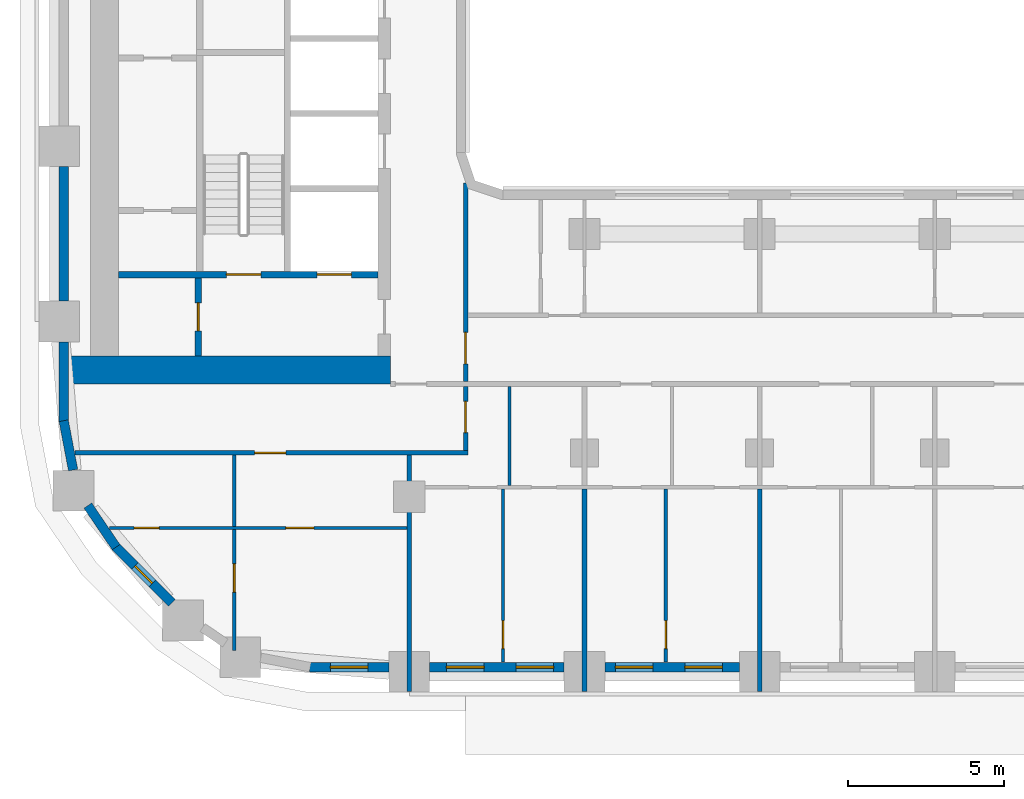
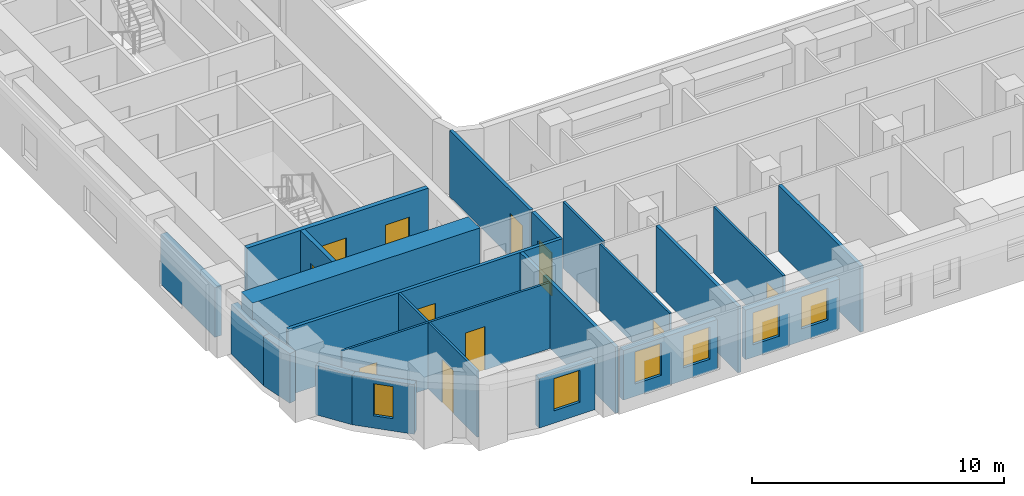
# One storey, part 2 of 23: 23 walls, 11 doors, 6 windows, 17 openings.
"""IFC4 building model written with IfcOpenShell, lengths in metres."""

import ifcopenshell
import ifcopenshell.guid

model = None  # the IFC model being written
_history = None  # IfcOwnerHistory: only IFC2X3 demands one
_inside = {}  # id of a spatial element -> (the spatial element, [elements in it])
_under = {}  # id of a project, library or spatial element -> (it, [spatial elements below it])
_declared = {}  # id of a project -> (the project, [libraries it declares])
_typed = {}  # id of a type object -> (the type object, [elements of that type])
_made_of = {}  # id of a material, layer set ... -> (it, [elements and type objects made of it])


def new_model(schema):
    """Start an empty IFC model of exactly this schema.

    Asked for "IFC4X3", IfcOpenShell would pick the latest addendum, in which some entities
    have other attributes; the version numbers below select the first issue.
    IFC2X3 requires an IfcOwnerHistory on every rooted entity: one is made here for all.
    """
    global model, _history
    if schema == "IFC4X3":
        model = ifcopenshell.file(schema_version=(4, 3, 0, 0))
    else:
        model = ifcopenshell.file(schema=schema)
    _inside.clear()
    _under.clear()
    _declared.clear()
    _typed.clear()
    _made_of.clear()
    _history = None
    if model.schema == "IFC2X3":
        org = make("IfcOrganization", Name="unknown")
        user = make(
            "IfcPersonAndOrganization",
            ThePerson=make("IfcPerson", FamilyName="unknown"),
            TheOrganization=org,
        )
        app = make(
            "IfcApplication",
            ApplicationDeveloper=org,
            Version="unknown",
            ApplicationFullName="unknown",
            ApplicationIdentifier="unknown",
        )
        _history = make(
            "IfcOwnerHistory",
            OwningUser=user,
            OwningApplication=app,
            ChangeAction="ADDED",
            CreationDate=0,
        )
    return model


def make(cls, **values):
    """One entity of the class cls with the attributes given. An attribute that is None is left unset."""
    return model.create_entity(
        cls, **{name: value for name, value in values.items() if value is not None}
    )


def rooted(cls, **values):
    """An entity with a GlobalId (a new one), such as an element, a storey or a relation."""
    return make(cls, GlobalId=ifcopenshell.guid.new(), OwnerHistory=_history, **values)


def si_unit(unit_type, name, prefix=None):
    """IfcSIUnit, for example si_unit("LENGTHUNIT", "METRE", prefix="MILLI")."""
    return make("IfcSIUnit", UnitType=unit_type, Prefix=prefix, Name=name)


def assignment(units):
    """IfcUnitAssignment: the units of a project."""
    return None if units is None else make("IfcUnitAssignment", Units=units)


def point(xyz):
    """IfcCartesianPoint."""
    return None if xyz is None else make("IfcCartesianPoint", Coordinates=xyz)


def direction(xyz):
    """IfcDirection."""
    return None if xyz is None else make("IfcDirection", DirectionRatios=xyz)


def frame(location, z_axis=None, x_axis=None):
    """IfcAxis2Placement3D, a coordinate frame: its origin and axes. An axis left out is left unset."""
    return make(
        "IfcAxis2Placement3D",
        Location=point(location),
        Axis=direction(z_axis),
        RefDirection=direction(x_axis),
    )


def frame_2d(location, x_axis=None):
    """IfcAxis2Placement2D, a coordinate frame in the plane: its origin and x axis."""
    return make(
        "IfcAxis2Placement2D", Location=point(location), RefDirection=direction(x_axis)
    )


def origin():
    """The frame at (0, 0, 0) with its axes left unset."""
    return frame((0.0, 0.0, 0.0))


def place(relative_to, where):
    """IfcLocalPlacement: puts the frame where relative to a parent placement (None: the world)."""
    return make(
        "IfcLocalPlacement", PlacementRelTo=relative_to, RelativePlacement=where
    )


def context(
    kind, dimensions, precision=None, world=None, true_north=None, identifier=None
):
    """IfcGeometricRepresentationContext, for example the 3D "Model" context."""
    return make(
        "IfcGeometricRepresentationContext",
        ContextIdentifier=identifier,
        ContextType=kind,
        CoordinateSpaceDimension=dimensions,
        Precision=precision,
        WorldCoordinateSystem=world,
        TrueNorth=true_north,
    )


def subcontext(parent, identifier, kind, view, scale=None):
    """IfcGeometricRepresentationSubContext, for example "Body" below "Model"."""
    return make(
        "IfcGeometricRepresentationSubContext",
        ContextIdentifier=identifier,
        ContextType=kind,
        ParentContext=parent,
        TargetScale=scale,
        TargetView=view,
    )


def project(units=None, contexts=None):
    """IfcProject with its units and contexts."""
    return rooted(
        "IfcProject",
        Name="project",
        RepresentationContexts=contexts,
        UnitsInContext=assignment(units),
    )


def spatial(cls, under=None, at=None, **own):
    """A site, building, storey or space (cls), placed at a placement, below another one or the project."""
    s = rooted(cls, ObjectPlacement=at, **own)
    if under is not None:
        _under.setdefault(under.id(), (under, []))[1].append(s)
    return s


def profile(cls, at=None, kind="AREA", **sizes):
    """A parametric profile (cls). Its sizes go by their IFC names, for example OverallWidth=200.0."""
    return make(cls, ProfileType=kind, Position=at, **sizes)


def rectangle(**sizes):
    """IfcRectangleProfileDef."""
    return profile("IfcRectangleProfileDef", **sizes)


def extrude(swept, where, along, depth):
    """IfcExtrudedAreaSolid: the profile swept, set in the frame where, extruded along a direction by depth."""
    return make(
        "IfcExtrudedAreaSolid",
        SweptArea=swept,
        Position=where,
        ExtrudedDirection=direction(along),
        Depth=depth,
    )


def shape(context_of_items, identifier, shape_type, items):
    """IfcShapeRepresentation: the items that make up one representation, for example the "Body"."""
    return make(
        "IfcShapeRepresentation",
        ContextOfItems=context_of_items,
        RepresentationIdentifier=identifier,
        RepresentationType=shape_type,
        Items=items,
    )


def material(Name=None, Category=None):
    """IfcMaterial."""
    return make("IfcMaterial", Name=Name, Category=Category)


def layer(
    of_material, thickness, ventilated=None, Name=None, Category=None, Priority=None
):
    """IfcMaterialLayer: one layer of a wall or slab, of a material (None: an air gap)."""
    return make(
        "IfcMaterialLayer",
        Material=of_material,
        LayerThickness=thickness,
        IsVentilated=ventilated,
        Name=Name,
        Category=Category,
        Priority=Priority,
    )


def layer_set(layers, Name=None):
    """IfcMaterialLayerSet."""
    return make("IfcMaterialLayerSet", MaterialLayers=layers, LayerSetName=Name)


def made_of(thing, what):
    """Note that an element or type object is made of a material, layer set ...; save() writes the relation."""
    if what is not None:
        _made_of.setdefault(what.id(), (what, []))[1].append(thing)
    return thing


def type_object(cls, material=None, **own):
    """A type object (cls), such as IfcWallType, which elements share."""
    return made_of(rooted(cls, **own), material)


def element(
    cls,
    number,
    at=None,
    inside=None,
    cuts=None,
    type_object=None,
    material=None,
    context=None,
    identifier="Body",
    shape_type=None,
    held_by="IfcProductDefinitionShape",
    body=None,
    shapes=None,
    **own,
):
    """One element of the class cls, such as IfcWall. Its Tag is "e" and its number.

    at: its placement. inside: the storey or other place that contains it. cuts: it is an
    opening in that element (IfcRelVoidsElement). A single representation is given by context,
    identifier, shape_type and body (its items); several are given by shapes. held_by: the class
    of the entity that holds the representations. save() writes the other relations.
    """
    e = rooted(cls, Tag="e%d" % number, ObjectPlacement=at, **own)
    if body is not None:
        shapes = [shape(context, identifier, shape_type, body)]
    if shapes is not None:
        e.Representation = make(held_by, Representations=shapes)
    if inside is not None:
        _inside.setdefault(inside.id(), (inside, []))[1].append(e)
    if cuts is not None:
        rooted(
            "IfcRelVoidsElement", RelatingBuildingElement=cuts, RelatedOpeningElement=e
        )
    if type_object is not None:
        _typed.setdefault(type_object.id(), (type_object, []))[1].append(e)
    return made_of(e, material)


def fill(opening, filler):
    """IfcRelFillsElement: the door or window that sits in an opening."""
    return rooted(
        "IfcRelFillsElement",
        RelatingOpeningElement=opening,
        RelatedBuildingElement=filler,
    )


def aggregate(whole, parts):
    """IfcRelAggregates: a whole, such as a stair, and the parts it consists of."""
    return rooted("IfcRelAggregates", RelatingObject=whole, RelatedObjects=parts)


def save(model, path):
    """Write the relations noted so far, then the file.

    IfcRelAggregates (storeys below a building ...), IfcRelContainedInSpatialStructure (elements
    in a storey), IfcRelDefinesByType, IfcRelAssociatesMaterial and IfcRelDeclares: one each for
    every whole, place, type object, material and project.
    """
    for whole, parts in _under.values():
        aggregate(whole, parts)
    for where, things in _inside.values():
        rooted(
            "IfcRelContainedInSpatialStructure",
            RelatedElements=things,
            RelatingStructure=where,
        )
    for kind, things in _typed.values():
        rooted("IfcRelDefinesByType", RelatedObjects=things, RelatingType=kind)
    for what, things in _made_of.values():
        rooted("IfcRelAssociatesMaterial", RelatedObjects=things, RelatingMaterial=what)
    for by, libraries in _declared.values():
        rooted("IfcRelDeclares", RelatingContext=by, RelatedDefinitions=libraries)
    model.write(path)


model = new_model("IFC4")

# Units and contexts
model_context = context("Model", 3, precision=1e-05, world=origin(), true_north=direction((0.0, 1.0)))
body_context = subcontext(model_context, "Body", "Model", "MODEL_VIEW")
ifc_project = project(units=[si_unit("LENGTHUNIT", "METRE"), si_unit("AREAUNIT", "SQUARE_METRE"), si_unit("VOLUMEUNIT", "CUBIC_METRE"), si_unit("PLANEANGLEUNIT", "RADIAN"), si_unit("MASSUNIT", "GRAM", prefix="KILO")], contexts=[model_context])

# Site, building, storey
site_placement = place(None, origin())
site = spatial("IfcSite", under=ifc_project, at=site_placement, CompositionType="ELEMENT")
building_placement = place(site_placement, origin())
building = spatial("IfcBuilding", under=site, at=building_placement, Name="Kiln Ring Residences", CompositionType="ELEMENT")
storey_placement = place(building_placement, frame((0.0, 0.0, 86.800048828125)))
storey = spatial("IfcBuildingStorey", under=building, at=storey_placement, Name="L21", CompositionType="ELEMENT", Elevation=86.800048828125)

# Wall, opening, door
ifc_material_1 = material(Name="Gypsum board on steel studs", Category="steel")
ifc_layer_1 = layer(ifc_material_1, 0.199951171875)
ifc_layer_set_1 = layer_set([ifc_layer_1], Name="CORE-PARTITION-200")
wall_type_1 = type_object("IfcWallType", Name="CORE-PARTITION-200", PredefinedType="PARTITIONING", material=ifc_layer_set_1)
wall_1_placement = place(storey_placement, frame((-23.550048828125, -12.300048828125, 0.0), z_axis=(0.0, 0.0, 1.0), x_axis=(0.0, 1.0, 0.0)))
wall_1 = element("IfcWall", 1, at=wall_1_placement, inside=storey, type_object=wall_type_1, Name="Core partition west L21 5", PredefinedType="PARTITIONING", context=body_context, shape_type="SweptSolid", body=[
    extrude(rectangle(XDim=2.5, YDim=0.199951171875, at=frame_2d((1.25, 0.0))), origin(), (0.0, 0.0, 1.0), 3.199951171875),
])
opening_1_placement = place(wall_1_placement, frame((0.800048828125, 0.0, 0.0)))
opening_1 = element("IfcOpeningElement", 2, at=opening_1_placement, cuts=wall_1, Name="Opening L21-CW11", PredefinedType="OPENING", context=body_context, shape_type="SweptSolid", body=[
    extrude(rectangle(XDim=0.89990234375, YDim=2.10009765625, at=frame_2d((0.449951171875, 1.050048828125))), frame((0.0, 0.10986328125, 0.0), z_axis=(0.0, -1.0, 0.0), x_axis=(1.0, 0.0, 0.0)), (0.0, 0.0, 1.0), 0.219970703125),
])
ifc_material_2 = material(Name="Steel door leaf", Category="steel")
door_type_1 = type_object("IfcDoorType", Name="CORE-DOOR-ROOM", OperationType="SINGLE_SWING_LEFT", PredefinedType="DOOR", material=ifc_material_2)
door_1_placement = place(opening_1_placement, origin())
door_1 = element("IfcDoor", 3, at=door_1_placement, inside=storey, type_object=door_type_1, Name="Store L21-CW11", OperationType="SINGLE_SWING_LEFT", OverallHeight=2.10009765625, OverallWidth=0.89990234375, PredefinedType="DOOR", context=body_context, shape_type="SweptSolid", body=[
    extrude(rectangle(XDim=0.89990234375, YDim=2.10009765625, at=frame_2d((0.449951171875, 1.050048828125))), frame((0.0, 0.02490234375, 0.0), z_axis=(0.0, -1.0, 0.0), x_axis=(1.0, 0.0, 0.0)), (0.0, 0.0, 1.0), 0.050048828125),
])
fill(opening_1, door_1)

# Wall, openings, doors
ifc_material_3 = material(Name="Concrete C40/50", Category="concrete")
ifc_layer_2 = layer(ifc_material_3, 0.199951171875)
ifc_layer_set_2 = layer_set([ifc_layer_2], Name="CORE-WALL-RC200")
wall_type_2 = type_object("IfcWallType", Name="CORE-WALL-RC200", PredefinedType="SHEAR", material=ifc_layer_set_2)
wall_2_placement = place(storey_placement, frame((-17.800048828125, -9.699951171875, 0.0), z_axis=(0.0, 0.0, 1.0), x_axis=(-1.0, 0.0, 0.0)))
wall_2 = element("IfcWall", 4, at=wall_2_placement, inside=storey, type_object=wall_type_2, Name="Core wall west L21 8", PredefinedType="SHEAR", context=body_context, shape_type="SweptSolid", body=[
    extrude(rectangle(XDim=8.300048828125, YDim=0.199951171875, at=frame_2d((4.14990234375, 0.0))), origin(), (0.0, 0.0, 1.0), 3.199951171875),
])
opening_2_placement = place(wall_2_placement, frame((0.85009765625, 0.0, 0.0)))
opening_2 = element("IfcOpeningElement", 5, at=opening_2_placement, cuts=wall_2, Name="Opening L21-CW01", PredefinedType="OPENING", context=body_context, shape_type="SweptSolid", body=[
    extrude(rectangle(XDim=1.10009765625, YDim=2.10009765625, at=frame_2d((0.550048828125, 1.050048828125))), frame((0.0, 0.10986328125, 0.0), z_axis=(0.0, -1.0, 0.0), x_axis=(1.0, 0.0, 0.0)), (0.0, 0.0, 1.0), 0.219970703125),
])
opening_3_placement = place(wall_2_placement, frame((3.75, 0.0, 0.0)))
opening_3 = element("IfcOpeningElement", 6, at=opening_3_placement, cuts=wall_2, Name="Opening L21-CW13", PredefinedType="OPENING", context=body_context, shape_type="SweptSolid", body=[
    extrude(rectangle(XDim=1.10009765625, YDim=2.10009765625, at=frame_2d((0.550048828125, 1.050048828125))), frame((0.0, 0.10986328125, 0.0), z_axis=(0.0, -1.0, 0.0), x_axis=(1.0, 0.0, 0.0)), (0.0, 0.0, 1.0), 0.219970703125),
])
ifc_material_4 = material(Name="Steel door leaf", Category="steel")
door_type_2 = type_object("IfcDoorType", Name="CORE-DOOR-LD", OperationType="DOUBLE_DOOR_SLIDING", PredefinedType="DOOR", material=ifc_material_4)
door_2_placement = place(opening_2_placement, origin())
door_2 = element("IfcDoor", 7, at=door_2_placement, inside=storey, type_object=door_type_2, Name="LD W-SV L21-CW01", OperationType="DOUBLE_DOOR_SLIDING", OverallHeight=2.10009765625, OverallWidth=1.10009765625, PredefinedType="DOOR", context=body_context, shape_type="SweptSolid", body=[
    extrude(rectangle(XDim=1.10009765625, YDim=2.10009765625, at=frame_2d((0.550048828125, 1.050048828125))), frame((0.0, 0.02490234375, 0.0), z_axis=(0.0, -1.0, 0.0), x_axis=(1.0, 0.0, 0.0)), (0.0, 0.0, 1.0), 0.050048828125),
])
fill(opening_2, door_2)
ifc_material_5 = material(Name="Steel door leaf", Category="steel")
door_type_3 = type_object("IfcDoorType", Name="CORE-DOOR-STAIR", OperationType="SINGLE_SWING_LEFT", PredefinedType="DOOR", material=ifc_material_5)
door_3_placement = place(opening_3_placement, origin())
door_3 = element("IfcDoor", 8, at=door_3_placement, inside=storey, type_object=door_type_3, Name="Stair W-STS L21-CW13", OperationType="SINGLE_SWING_RIGHT", OverallHeight=2.10009765625, OverallWidth=1.10009765625, PredefinedType="DOOR", context=body_context, shape_type="SweptSolid", body=[
    extrude(rectangle(XDim=1.10009765625, YDim=2.10009765625, at=frame_2d((0.550048828125, 1.050048828125))), frame((0.0, 0.02490234375, 0.0), z_axis=(0.0, -1.0, 0.0), x_axis=(1.0, 0.0, 0.0)), (0.0, 0.0, 1.0), 0.050048828125),
])
fill(opening_3, door_3)

# Wall
ifc_material_6 = material(Name="Concrete C60/75", Category="concrete")
ifc_layer_3 = layer(ifc_material_6, 0.89990234375)
ifc_layer_set_3 = layer_set([ifc_layer_3], Name="CORE-WALL-RC900")
wall_type_3 = type_object("IfcWallType", Name="CORE-WALL-RC900", PredefinedType="SHEAR", material=ifc_layer_set_3)
wall_3_placement = place(storey_placement, frame((-17.39990234375, -12.75, 0.0), z_axis=(0.0, 0.0, 1.0), x_axis=(-1.0, 0.0, 0.0)))
element("IfcWall", 9, at=wall_3_placement, inside=storey, type_object=wall_type_3, Name="Core wall west L21 5", PredefinedType="SHEAR", context=body_context, shape_type="SweptSolid", body=[
    extrude(rectangle(XDim=10.400146484375, YDim=0.89990234375, at=frame_2d((5.2001953125, 0.0))), origin(), (0.0, 0.0, 1.0), 3.199951171875),
])

# Wall, opening, window
ifc_material_7 = material(Name="Brick masonry, dark clay brick", Category="masonry")
ifc_layer_4 = layer(ifc_material_7, 0.300048828125)
ifc_layer_set_4 = layer_set([ifc_layer_4], Name="EW-300 BRICK WALL")
wall_type_4 = type_object("IfcWallType", Name="EW-300 BRICK WALL", PredefinedType="SOLIDWALL", material=ifc_layer_set_4)
wall_4_placement = place(storey_placement, frame((-26.19677734375, -18.390869140625, 0.0), z_axis=(0.0, 0.0, 1.0), x_axis=(0.707058908279, -0.707154650853, 0.0)))
wall_4 = element("IfcWall", 10, at=wall_4_placement, inside=storey, type_object=wall_type_4, Name="Facade wall L21 1", PredefinedType="SOLIDWALL", context=body_context, shape_type="SweptSolid", body=[
    extrude(rectangle(XDim=2.550048828125, YDim=0.300048828125, at=frame_2d((1.27490234375, 0.0))), origin(), (0.0, 0.0, 1.0), 2.39990234375),
])
opening_4_placement = place(wall_4_placement, frame((0.875, 0.0, 0.60009765625)))
opening_4 = element("IfcOpeningElement", 11, at=opening_4_placement, cuts=wall_4, Name="Opening W5", PredefinedType="OPENING", context=body_context, shape_type="SweptSolid", body=[
    extrude(rectangle(XDim=0.800048828125, YDim=1.550048828125, at=frame_2d((0.39990234375, 0.77490234375))), frame((0.0, 0.159912109375, 0.0), z_axis=(0.0, -1.0, 0.0), x_axis=(1.0, 0.0, 0.0)), (0.0, 0.0, 1.0), 0.320068359375),
])
ifc_material_8 = material(Name="Aluminium frame with double glazing", Category="aluminium")
window_type_1 = type_object("IfcWindowType", Name="WINDOW 800 x 1550", PartitioningType="SINGLE_PANEL", PredefinedType="WINDOW", material=ifc_material_8)
window_1_placement = place(opening_4_placement, origin())
window_1 = element("IfcWindow", 12, at=window_1_placement, inside=storey, type_object=window_type_1, Name="Window L21 1", OverallHeight=1.550048828125, OverallWidth=0.800048828125, PartitioningType="SINGLE_PANEL", PredefinedType="WINDOW", context=body_context, shape_type="SweptSolid", body=[
    extrude(rectangle(XDim=0.800048828125, YDim=1.550048828125, at=frame_2d((0.39990234375, 0.77490234375))), frame((0.0, 0.030029296875, 0.0), z_axis=(0.0, -1.0, 0.0), x_axis=(1.0, 0.0, 0.0)), (0.0, 0.0, 1.0), 0.06005859375),
])
fill(opening_4, window_1)

wall_5_placement = place(storey_placement, frame((-20.0, -22.25, 0.0), z_axis=(0.0, 0.0, 1.0), x_axis=(1.0, 0.0, 0.0)))
wall_5 = element("IfcWall", 13, at=wall_5_placement, inside=storey, type_object=wall_type_4, Name="Facade wall L21 4", PredefinedType="SOLIDWALL", context=body_context, shape_type="SweptSolid", body=[
    extrude(rectangle(XDim=2.550048828125, YDim=0.300048828125, at=frame_2d((1.27490234375, 0.0))), origin(), (0.0, 0.0, 1.0), 2.39990234375),
])
opening_5_placement = place(wall_5_placement, frame((0.675048828125, 0.0, 0.60009765625)))
opening_5 = element("IfcOpeningElement", 14, at=opening_5_placement, cuts=wall_5, Name="Opening W1", PredefinedType="OPENING", context=body_context, shape_type="SweptSolid", body=[
    extrude(rectangle(XDim=1.199951171875, YDim=1.550048828125, at=frame_2d((0.60009765625, 0.77490234375))), frame((0.0, 0.159912109375, 0.0), z_axis=(0.0, -1.0, 0.0), x_axis=(1.0, 0.0, 0.0)), (0.0, 0.0, 1.0), 0.320068359375),
])
ifc_material_9 = material(Name="Aluminium frame with double glazing", Category="aluminium")
window_type_2 = type_object("IfcWindowType", Name="WINDOW 1200 x 1550", PartitioningType="SINGLE_PANEL", PredefinedType="WINDOW", material=ifc_material_9)
window_2_placement = place(opening_5_placement, origin())
window_2 = element("IfcWindow", 15, at=window_2_placement, inside=storey, type_object=window_type_2, Name="Window L21 2", OverallHeight=1.550048828125, OverallWidth=1.199951171875, PartitioningType="SINGLE_PANEL", PredefinedType="WINDOW", context=body_context, shape_type="SweptSolid", body=[
    extrude(rectangle(XDim=1.199951171875, YDim=1.550048828125, at=frame_2d((0.60009765625, 0.77490234375))), frame((0.0, 0.030029296875, 0.0), z_axis=(0.0, -1.0, 0.0), x_axis=(1.0, 0.0, 0.0)), (0.0, 0.0, 1.0), 0.06005859375),
])
fill(opening_5, window_2)

# Wall, openings, windows
wall_6_placement = place(storey_placement, frame((-16.14990234375, -22.25, 0.0), z_axis=(0.0, 0.0, 1.0), x_axis=(1.0, 0.0, 0.0)))
wall_6 = element("IfcWall", 16, at=wall_6_placement, inside=storey, type_object=wall_type_4, Name="Facade wall L21 5", PredefinedType="SOLIDWALL", context=body_context, shape_type="SweptSolid", body=[
    extrude(rectangle(XDim=4.2998046875, YDim=0.300048828125, at=frame_2d((2.14990234375, 0.0))), origin(), (0.0, 0.0, 1.0), 2.39990234375),
])
opening_6_placement = place(wall_6_placement, frame((0.53759765625, 0.0, 0.60009765625)))
opening_6 = element("IfcOpeningElement", 17, at=opening_6_placement, cuts=wall_6, Name="Opening W1", PredefinedType="OPENING", context=body_context, shape_type="SweptSolid", body=[
    extrude(rectangle(XDim=1.199951171875, YDim=1.550048828125, at=frame_2d((0.60009765625, 0.77490234375))), frame((0.0, 0.159912109375, 0.0), z_axis=(0.0, -1.0, 0.0), x_axis=(1.0, 0.0, 0.0)), (0.0, 0.0, 1.0), 0.320068359375),
])
opening_7_placement = place(wall_6_placement, frame((2.762451171875, 0.0, 0.60009765625)))
opening_7 = element("IfcOpeningElement", 18, at=opening_7_placement, cuts=wall_6, Name="Opening W1", PredefinedType="OPENING", context=body_context, shape_type="SweptSolid", body=[
    extrude(rectangle(XDim=1.199951171875, YDim=1.550048828125, at=frame_2d((0.60009765625, 0.77490234375))), frame((0.0, 0.159912109375, 0.0), z_axis=(0.0, -1.0, 0.0), x_axis=(1.0, 0.0, 0.0)), (0.0, 0.0, 1.0), 0.320068359375),
])
window_3_placement = place(opening_6_placement, origin())
window_3 = element("IfcWindow", 19, at=window_3_placement, inside=storey, type_object=window_type_2, Name="Window L21 3", OverallHeight=1.550048828125, OverallWidth=1.199951171875, PartitioningType="SINGLE_PANEL", PredefinedType="WINDOW", context=body_context, shape_type="SweptSolid", body=[
    extrude(rectangle(XDim=1.199951171875, YDim=1.550048828125, at=frame_2d((0.60009765625, 0.77490234375))), frame((0.0, 0.030029296875, 0.0), z_axis=(0.0, -1.0, 0.0), x_axis=(1.0, 0.0, 0.0)), (0.0, 0.0, 1.0), 0.06005859375),
])
fill(opening_6, window_3)
window_4_placement = place(opening_7_placement, origin())
window_4 = element("IfcWindow", 20, at=window_4_placement, inside=storey, type_object=window_type_2, Name="Window L21 4", OverallHeight=1.550048828125, OverallWidth=1.199951171875, PartitioningType="SINGLE_PANEL", PredefinedType="WINDOW", context=body_context, shape_type="SweptSolid", body=[
    extrude(rectangle(XDim=1.199951171875, YDim=1.550048828125, at=frame_2d((0.60009765625, 0.77490234375))), frame((0.0, 0.030029296875, 0.0), z_axis=(0.0, -1.0, 0.0), x_axis=(1.0, 0.0, 0.0)), (0.0, 0.0, 1.0), 0.06005859375),
])
fill(opening_7, window_4)

wall_7_placement = place(storey_placement, frame((-10.550048828125, -22.25, 0.0), z_axis=(0.0, 0.0, 1.0), x_axis=(1.0, 0.0, 0.0)))
wall_7 = element("IfcWall", 21, at=wall_7_placement, inside=storey, type_object=wall_type_4, Name="Facade wall L21 6", PredefinedType="SOLIDWALL", context=body_context, shape_type="SweptSolid", body=[
    extrude(rectangle(XDim=4.300048828125, YDim=0.300048828125, at=frame_2d((2.14990234375, 0.0))), origin(), (0.0, 0.0, 1.0), 2.39990234375),
])
opening_8_placement = place(wall_7_placement, frame((0.33740234375, 0.0, 0.60009765625)))
opening_8 = element("IfcOpeningElement", 22, at=opening_8_placement, cuts=wall_7, Name="Opening W1", PredefinedType="OPENING", context=body_context, shape_type="SweptSolid", body=[
    extrude(rectangle(XDim=1.199951171875, YDim=1.550048828125, at=frame_2d((0.60009765625, 0.77490234375))), frame((0.0, 0.159912109375, 0.0), z_axis=(0.0, -1.0, 0.0), x_axis=(1.0, 0.0, 0.0)), (0.0, 0.0, 1.0), 0.320068359375),
])
opening_9_placement = place(wall_7_placement, frame((2.5625, 0.0, 0.60009765625)))
opening_9 = element("IfcOpeningElement", 23, at=opening_9_placement, cuts=wall_7, Name="Opening W1", PredefinedType="OPENING", context=body_context, shape_type="SweptSolid", body=[
    extrude(rectangle(XDim=1.199951171875, YDim=1.550048828125, at=frame_2d((0.60009765625, 0.77490234375))), frame((0.0, 0.159912109375, 0.0), z_axis=(0.0, -1.0, 0.0), x_axis=(1.0, 0.0, 0.0)), (0.0, 0.0, 1.0), 0.320068359375),
])
window_5_placement = place(opening_8_placement, origin())
window_5 = element("IfcWindow", 24, at=window_5_placement, inside=storey, type_object=window_type_2, Name="Window L21 5", OverallHeight=1.550048828125, OverallWidth=1.199951171875, PartitioningType="SINGLE_PANEL", PredefinedType="WINDOW", context=body_context, shape_type="SweptSolid", body=[
    extrude(rectangle(XDim=1.199951171875, YDim=1.550048828125, at=frame_2d((0.60009765625, 0.77490234375))), frame((0.0, 0.030029296875, 0.0), z_axis=(0.0, -1.0, 0.0), x_axis=(1.0, 0.0, 0.0)), (0.0, 0.0, 1.0), 0.06005859375),
])
fill(opening_8, window_5)
window_6_placement = place(opening_9_placement, origin())
window_6 = element("IfcWindow", 25, at=window_6_placement, inside=storey, type_object=window_type_2, Name="Window L21 6", OverallHeight=1.550048828125, OverallWidth=1.199951171875, PartitioningType="SINGLE_PANEL", PredefinedType="WINDOW", context=body_context, shape_type="SweptSolid", body=[
    extrude(rectangle(XDim=1.199951171875, YDim=1.550048828125, at=frame_2d((0.60009765625, 0.77490234375))), frame((0.0, 0.030029296875, 0.0), z_axis=(0.0, -1.0, 0.0), x_axis=(1.0, 0.0, 0.0)), (0.0, 0.0, 1.0), 0.06005859375),
])
fill(opening_9, window_6)

# Walls
wall_8_placement = place(storey_placement, frame((-27.85009765625, -6.25, 0.0), z_axis=(0.0, 0.0, 1.0), x_axis=(0.0, -1.0, 0.0)))
element("IfcWall", 26, at=wall_8_placement, inside=storey, type_object=wall_type_4, Name="Facade wall L21 45", PredefinedType="SOLIDWALL", context=body_context, shape_type="SweptSolid", body=[
    extrude(rectangle(XDim=4.300048828125, YDim=0.300048828125, at=frame_2d((2.14990234375, 0.0))), origin(), (0.0, 0.0, 1.0), 2.39990234375),
])
wall_9_placement = place(storey_placement, frame((-27.85009765625, -11.85009765625, 0.0), z_axis=(0.0, 0.0, 1.0), x_axis=(0.0, -1.0, 0.0)))
element("IfcWall", 27, at=wall_9_placement, inside=storey, type_object=wall_type_4, Name="Facade wall L21 46", PredefinedType="SOLIDWALL", context=body_context, shape_type="SweptSolid", body=[
    extrude(rectangle(XDim=2.5498046875, YDim=0.300048828125, at=frame_2d((1.27490234375, 0.0))), origin(), (0.0, 0.0, 1.0), 2.39990234375),
])
for number, where, z_axis, x_axis, name in (
    (28, (-27.8525390625, -14.371826171875, 0.0), (0.0, 0.0, 1.0), (0.187279751651, -0.982306619453, 0.0), "Facade wall L21 47"),
    (29, (-27.08154296875, -17.08447265625, 0.0), (0.0, 0.0, 1.0), (0.562010605531, -0.827130025613, 0.0), "Facade wall L21 48"),
):
    element("IfcWall", number, at=place(storey_placement, frame(where, z_axis=z_axis, x_axis=x_axis)), inside=storey, type_object=wall_type_4, Name=name, PredefinedType="SOLIDWALL", context=body_context, shape_type="SweptSolid", body=[
        extrude(rectangle(XDim=1.60595703125, YDim=0.300048828125, at=frame_2d((0.802978515625, 0.0))), origin(), (0.0, 0.0, 1.0), 2.39990234375),
    ])

# Wall, openings, doors
ifc_material_10 = material(Name="Gypsum board on steel studs", Category="steel")
ifc_layer_5 = layer(ifc_material_10, 0.10009765625)
ifc_layer_set_5 = layer_set([ifc_layer_5], Name="PARTITION-100")
wall_type_5 = type_object("IfcWallType", Name="PARTITION-100", PredefinedType="PARTITIONING", material=ifc_layer_set_5)
wall_10_placement = place(storey_placement, frame((-26.39404296875, -17.800048828125, 0.0), z_axis=(0.0, 0.0, 1.0), x_axis=(1.0, 0.0, 0.0)))
wall_10 = element("IfcWall", 30, at=wall_10_placement, inside=storey, type_object=wall_type_5, Name="Partition 001", PredefinedType="PARTITIONING", context=body_context, shape_type="SweptSolid", body=[
    extrude(rectangle(XDim=9.51904296875, YDim=0.10009765625, at=frame_2d((4.759521484375, 0.0))), origin(), (0.0, 0.0, 1.0), 3.199951171875),
])
opening_10_placement = place(wall_10_placement, frame((0.7939453125, 0.0, 0.0)))
opening_10 = element("IfcOpeningElement", 31, at=opening_10_placement, cuts=wall_10, Name="Opening L21-D078", PredefinedType="OPENING", context=body_context, shape_type="SweptSolid", body=[
    extrude(rectangle(XDim=0.800048828125, YDim=2.10009765625, at=frame_2d((0.39990234375, 1.050048828125))), frame((0.0, 0.06005859375, 0.0), z_axis=(0.0, -1.0, 0.0), x_axis=(1.0, 0.0, 0.0)), (0.0, 0.0, 1.0), 0.1201171875),
])
opening_11_placement = place(wall_10_placement, frame((5.64404296875, 0.0, 0.0)))
opening_11 = element("IfcOpeningElement", 32, at=opening_11_placement, cuts=wall_10, Name="Opening L21-D079", PredefinedType="OPENING", context=body_context, shape_type="SweptSolid", body=[
    extrude(rectangle(XDim=0.89990234375, YDim=2.10009765625, at=frame_2d((0.449951171875, 1.050048828125))), frame((0.0, 0.06005859375, 0.0), z_axis=(0.0, -1.0, 0.0), x_axis=(1.0, 0.0, 0.0)), (0.0, 0.0, 1.0), 0.1201171875),
])
ifc_material_11 = material(Name="Timber door leaf", Category="wood")
door_type_4 = type_object("IfcDoorType", Name="FLAT-DOOR-800-PL", OperationType="SINGLE_SWING_LEFT", PredefinedType="DOOR", material=ifc_material_11)
door_4_placement = place(opening_10_placement, origin())
door_4 = element("IfcDoor", 33, at=door_4_placement, inside=storey, type_object=door_type_4, Name="Door L21-D078", OperationType="SINGLE_SWING_RIGHT", OverallHeight=2.10009765625, OverallWidth=0.800048828125, PredefinedType="DOOR", context=body_context, shape_type="SweptSolid", body=[
    extrude(rectangle(XDim=0.800048828125, YDim=2.10009765625, at=frame_2d((0.39990234375, 1.050048828125))), frame((0.0, 0.02490234375, 0.0), z_axis=(0.0, -1.0, 0.0), x_axis=(1.0, 0.0, 0.0)), (0.0, 0.0, 1.0), 0.050048828125),
])
fill(opening_10, door_4)
ifc_material_12 = material(Name="Timber door leaf", Category="wood")
door_type_5 = type_object("IfcDoorType", Name="FLAT-DOOR-900-PL", OperationType="SINGLE_SWING_LEFT", PredefinedType="DOOR", material=ifc_material_12)
door_5_placement = place(opening_11_placement, origin())
door_5 = element("IfcDoor", 34, at=door_5_placement, inside=storey, type_object=door_type_5, Name="Door L21-D079", OperationType="SINGLE_SWING_LEFT", OverallHeight=2.10009765625, OverallWidth=0.89990234375, PredefinedType="DOOR", context=body_context, shape_type="SweptSolid", body=[
    extrude(rectangle(XDim=0.89990234375, YDim=2.10009765625, at=frame_2d((0.449951171875, 1.050048828125))), frame((0.0, 0.02490234375, 0.0), z_axis=(0.0, -1.0, 0.0), x_axis=(1.0, 0.0, 0.0)), (0.0, 0.0, 1.0), 0.050048828125),
])
fill(opening_11, door_5)

# Wall, opening, door
wall_11_placement = place(storey_placement, frame((-22.39990234375, -21.719970703125, 0.0), z_axis=(0.0, 0.0, 1.0), x_axis=(0.0, 1.0, 0.0)))
wall_11 = element("IfcWall", 35, at=wall_11_placement, inside=storey, type_object=wall_type_5, Name="Partition 014", PredefinedType="PARTITIONING", context=body_context, shape_type="SweptSolid", body=[
    extrude(rectangle(XDim=3.869873046875, YDim=0.10009765625, at=frame_2d((1.93505859375, 0.0))), origin(), (0.0, 0.0, 1.0), 3.199951171875),
])
opening_12_placement = place(wall_11_placement, frame((1.8701171875, 0.0, 0.0)))
opening_12 = element("IfcOpeningElement", 36, at=opening_12_placement, cuts=wall_11, Name="Opening L21-D080", PredefinedType="OPENING", context=body_context, shape_type="SweptSolid", body=[
    extrude(rectangle(XDim=0.89990234375, YDim=2.10009765625, at=frame_2d((0.449951171875, 1.050048828125))), frame((0.0, 0.06005859375, 0.0), z_axis=(0.0, -1.0, 0.0), x_axis=(1.0, 0.0, 0.0)), (0.0, 0.0, 1.0), 0.1201171875),
])
door_6_placement = place(opening_12_placement, origin())
door_6 = element("IfcDoor", 37, at=door_6_placement, inside=storey, type_object=door_type_5, Name="Door L21-D080", OperationType="SINGLE_SWING_LEFT", OverallHeight=2.10009765625, OverallWidth=0.89990234375, PredefinedType="DOOR", context=body_context, shape_type="SweptSolid", body=[
    extrude(rectangle(XDim=0.89990234375, YDim=2.10009765625, at=frame_2d((0.449951171875, 1.050048828125))), frame((0.0, 0.02490234375, 0.0), z_axis=(0.0, -1.0, 0.0), x_axis=(1.0, 0.0, 0.0)), (0.0, 0.0, 1.0), 0.050048828125),
])
fill(opening_12, door_6)

# Wall
wall_12_placement = place(storey_placement, frame((-22.39990234375, -17.75, 0.0), z_axis=(0.0, 0.0, 1.0), x_axis=(0.0, 1.0, 0.0)))
element("IfcWall", 38, at=wall_12_placement, inside=storey, type_object=wall_type_5, Name="Partition 015", PredefinedType="PARTITIONING", context=body_context, shape_type="SweptSolid", body=[
    extrude(rectangle(XDim=2.27490234375, YDim=0.10009765625, at=frame_2d((1.137451171875, 0.0))), origin(), (0.0, 0.0, 1.0), 3.199951171875),
])

# Wall, opening, door
wall_13_placement = place(storey_placement, frame((-13.800048828125, -22.080078125, 0.0), z_axis=(0.0, 0.0, 1.0), x_axis=(0.0, 1.0, 0.0)))
wall_13 = element("IfcWall", 39, at=wall_13_placement, inside=storey, type_object=wall_type_5, Name="Partition 025", PredefinedType="PARTITIONING", context=body_context, shape_type="SweptSolid", body=[
    extrude(rectangle(XDim=5.530029296875, YDim=0.10009765625, at=frame_2d((2.76513671875, 0.0))), origin(), (0.0, 0.0, 1.0), 3.199951171875),
])
opening_13_placement = place(wall_13_placement, frame((0.419921875, 0.0, 0.0)))
opening_13 = element("IfcOpeningElement", 40, at=opening_13_placement, cuts=wall_13, Name="Opening L21-D055", PredefinedType="OPENING", context=body_context, shape_type="SweptSolid", body=[
    extrude(rectangle(XDim=0.89990234375, YDim=2.10009765625, at=frame_2d((0.449951171875, 1.050048828125))), frame((0.0, 0.06005859375, 0.0), z_axis=(0.0, -1.0, 0.0), x_axis=(1.0, 0.0, 0.0)), (0.0, 0.0, 1.0), 0.1201171875),
])
door_7_placement = place(opening_13_placement, origin())
door_7 = element("IfcDoor", 41, at=door_7_placement, inside=storey, type_object=door_type_5, Name="Door L21-D055", OperationType="SINGLE_SWING_LEFT", OverallHeight=2.10009765625, OverallWidth=0.89990234375, PredefinedType="DOOR", context=body_context, shape_type="SweptSolid", body=[
    extrude(rectangle(XDim=0.89990234375, YDim=2.10009765625, at=frame_2d((0.449951171875, 1.050048828125))), frame((0.0, 0.02490234375, 0.0), z_axis=(0.0, -1.0, 0.0), x_axis=(1.0, 0.0, 0.0)), (0.0, 0.0, 1.0), 0.050048828125),
])
fill(opening_13, door_7)

# Wall
wall_14_placement = place(storey_placement, frame((-13.60009765625, -16.449951171875, 0.0), z_axis=(0.0, 0.0, 1.0), x_axis=(0.0, 1.0, 0.0)))
element("IfcWall", 42, at=wall_14_placement, inside=storey, type_object=wall_type_5, Name="Partition 026", PredefinedType="PARTITIONING", context=body_context, shape_type="SweptSolid", body=[
    extrude(rectangle(XDim=3.175048828125, YDim=0.10009765625, at=frame_2d((1.58740234375, 0.0))), origin(), (0.0, 0.0, 1.0), 3.199951171875),
])

# Wall, opening, door
wall_15_placement = place(storey_placement, frame((-8.60009765625, -22.080078125, 0.0), z_axis=(0.0, 0.0, 1.0), x_axis=(0.0, 1.0, 0.0)))
wall_15 = element("IfcWall", 43, at=wall_15_placement, inside=storey, type_object=wall_type_5, Name="Partition 035", PredefinedType="PARTITIONING", context=body_context, shape_type="SweptSolid", body=[
    extrude(rectangle(XDim=5.530029296875, YDim=0.10009765625, at=frame_2d((2.76513671875, 0.0))), origin(), (0.0, 0.0, 1.0), 3.199951171875),
])
opening_14_placement = place(wall_15_placement, frame((0.419921875, 0.0, 0.0)))
opening_14 = element("IfcOpeningElement", 44, at=opening_14_placement, cuts=wall_15, Name="Opening L21-D059", PredefinedType="OPENING", context=body_context, shape_type="SweptSolid", body=[
    extrude(rectangle(XDim=0.89990234375, YDim=2.10009765625, at=frame_2d((0.449951171875, 1.050048828125))), frame((0.0, 0.06005859375, 0.0), z_axis=(0.0, -1.0, 0.0), x_axis=(1.0, 0.0, 0.0)), (0.0, 0.0, 1.0), 0.1201171875),
])
door_8_placement = place(opening_14_placement, origin())
door_8 = element("IfcDoor", 45, at=door_8_placement, inside=storey, type_object=door_type_5, Name="Door L21-D059", OperationType="SINGLE_SWING_LEFT", OverallHeight=2.10009765625, OverallWidth=0.89990234375, PredefinedType="DOOR", context=body_context, shape_type="SweptSolid", body=[
    extrude(rectangle(XDim=0.89990234375, YDim=2.10009765625, at=frame_2d((0.449951171875, 1.050048828125))), frame((0.0, 0.02490234375, 0.0), z_axis=(0.0, -1.0, 0.0), x_axis=(1.0, 0.0, 0.0)), (0.0, 0.0, 1.0), 0.050048828125),
])
fill(opening_14, door_8)

ifc_material_13 = material(Name="Brick masonry partition", Category="masonry")
ifc_layer_6 = layer(ifc_material_13, 0.14990234375)
ifc_layer_set_6 = layer_set([ifc_layer_6], Name="PARTITION-150-ei60")
wall_type_6 = type_object("IfcWallType", Name="PARTITION-150-ei60", PredefinedType="PARTITIONING", material=ifc_layer_set_6)
wall_16_placement = place(storey_placement, frame((-27.48388671875, -15.39990234375, 0.0), z_axis=(0.0, 0.0, 1.0), x_axis=(1.0, 0.0, 0.0)))
wall_16 = element("IfcWall", 46, at=wall_16_placement, inside=storey, type_object=wall_type_6, Name="Partition 003", PredefinedType="PARTITIONING", context=body_context, shape_type="SweptSolid", body=[
    extrude(rectangle(XDim=12.558837890625, YDim=0.14990234375, at=frame_2d((6.279296875, 0.0))), origin(), (0.0, 0.0, 1.0), 3.199951171875),
])
opening_15_placement = place(wall_16_placement, frame((5.73388671875, 0.0, 0.0)))
opening_15 = element("IfcOpeningElement", 47, at=opening_15_placement, cuts=wall_16, Name="Opening L21-D077", PredefinedType="OPENING", context=body_context, shape_type="SweptSolid", body=[
    extrude(rectangle(XDim=1.0, YDim=2.10009765625, at=frame_2d((0.5, 1.050048828125))), frame((0.0, 0.0849609375, 0.0), z_axis=(0.0, -1.0, 0.0), x_axis=(1.0, 0.0, 0.0)), (0.0, 0.0, 1.0), 0.169921875),
])
ifc_material_14 = material(Name="Steel faced fire door leaf", Category="steel")
door_type_6 = type_object("IfcDoorType", Name="FLAT-DOOR-1000-FR", OperationType="SINGLE_SWING_LEFT", PredefinedType="DOOR", material=ifc_material_14)
door_9_placement = place(opening_15_placement, origin())
door_9 = element("IfcDoor", 48, at=door_9_placement, inside=storey, type_object=door_type_6, Name="Door L21-D077", OperationType="SINGLE_SWING_LEFT", OverallHeight=2.10009765625, OverallWidth=1.0, PredefinedType="DOOR", context=body_context, shape_type="SweptSolid", body=[
    extrude(rectangle(XDim=1.0, YDim=2.10009765625, at=frame_2d((0.5, 1.050048828125))), frame((0.0, 0.02490234375, 0.0), z_axis=(0.0, -1.0, 0.0), x_axis=(1.0, 0.0, 0.0)), (0.0, 0.0, 1.0), 0.050048828125),
])
fill(opening_15, door_9)

# Wall
wall_17_placement = place(storey_placement, frame((-16.800048828125, -23.030029296875, 0.0), z_axis=(0.0, 0.0, 1.0), x_axis=(0.0, 1.0, 0.0)))
element("IfcWall", 49, at=wall_17_placement, inside=storey, type_object=wall_type_6, Name="Partition 018", PredefinedType="PARTITIONING", context=body_context, shape_type="SweptSolid", body=[
    extrude(rectangle(XDim=7.554931640625, YDim=0.14990234375, at=frame_2d((3.77734375, 0.0))), origin(), (0.0, 0.0, 1.0), 3.199951171875),
])

# Wall, opening, door
wall_18_placement = place(storey_placement, frame((-15.0, -15.324951171875, 0.0), z_axis=(0.0, 0.0, 1.0), x_axis=(0.0, 1.0, 0.0)))
wall_18 = element("IfcWall", 50, at=wall_18_placement, inside=storey, type_object=wall_type_6, Name="Partition 020", PredefinedType="PARTITIONING", context=body_context, shape_type="SweptSolid", body=[
    extrude(rectangle(XDim=2.050048828125, YDim=0.14990234375, at=frame_2d((1.02490234375, 0.0))), origin(), (0.0, 0.0, 1.0), 3.199951171875),
])
opening_16_placement = place(wall_18_placement, frame((0.573974609375, 0.0, 0.0)))
opening_16 = element("IfcOpeningElement", 51, at=opening_16_placement, cuts=wall_18, Name="Opening L21-D052", PredefinedType="OPENING", context=body_context, shape_type="SweptSolid", body=[
    extrude(rectangle(XDim=1.0, YDim=2.10009765625, at=frame_2d((0.5, 1.050048828125))), frame((0.0, 0.0849609375, 0.0), z_axis=(0.0, -1.0, 0.0), x_axis=(1.0, 0.0, 0.0)), (0.0, 0.0, 1.0), 0.169921875),
])
door_10_placement = place(opening_16_placement, origin())
door_10 = element("IfcDoor", 52, at=door_10_placement, inside=storey, type_object=door_type_6, Name="Door L21-D052", OperationType="SINGLE_SWING_RIGHT", OverallHeight=2.10009765625, OverallWidth=1.0, PredefinedType="DOOR", context=body_context, shape_type="SweptSolid", body=[
    extrude(rectangle(XDim=1.0, YDim=2.10009765625, at=frame_2d((0.5, 1.050048828125))), frame((0.0, 0.02490234375, 0.0), z_axis=(0.0, -1.0, 0.0), x_axis=(1.0, 0.0, 0.0)), (0.0, 0.0, 1.0), 0.050048828125),
])
fill(opening_16, door_10)

wall_19_placement = place(storey_placement, frame((-15.0, -13.125, 0.0), z_axis=(0.0, 0.0, 1.0), x_axis=(0.0, 1.0, 0.0)))
wall_19 = element("IfcWall", 53, at=wall_19_placement, inside=storey, type_object=wall_type_6, Name="Partition 021", PredefinedType="PARTITIONING", context=body_context, shape_type="SweptSolid", body=[
    extrude(rectangle(XDim=6.356201171875, YDim=0.14990234375, at=frame_2d((3.17822265625, 0.0))), origin(), (0.0, 0.0, 1.0), 3.199951171875),
])
opening_17_placement = place(wall_19_placement, frame((0.574951171875, 0.0, 0.0)))
opening_17 = element("IfcOpeningElement", 54, at=opening_17_placement, cuts=wall_19, Name="Opening L21-D005", PredefinedType="OPENING", context=body_context, shape_type="SweptSolid", body=[
    extrude(rectangle(XDim=1.0, YDim=2.10009765625, at=frame_2d((0.5, 1.050048828125))), frame((0.0, 0.0849609375, 0.0), z_axis=(0.0, -1.0, 0.0), x_axis=(1.0, 0.0, 0.0)), (0.0, 0.0, 1.0), 0.169921875),
])
door_11_placement = place(opening_17_placement, origin())
door_11 = element("IfcDoor", 55, at=door_11_placement, inside=storey, type_object=door_type_6, Name="Door L21-D005", OperationType="SINGLE_SWING_RIGHT", OverallHeight=2.10009765625, OverallWidth=1.0, PredefinedType="DOOR", context=body_context, shape_type="SweptSolid", body=[
    extrude(rectangle(XDim=1.0, YDim=2.10009765625, at=frame_2d((0.5, 1.050048828125))), frame((0.0, 0.02490234375, 0.0), z_axis=(0.0, -1.0, 0.0), x_axis=(1.0, 0.0, 0.0)), (0.0, 0.0, 1.0), 0.050048828125),
])
fill(opening_17, door_11)

# Walls
for number, where, z_axis, x_axis, name in (
    (56, (-11.199951171875, -23.030029296875, 0.0), (0.0, 0.0, 1.0), (0.0, 1.0, 0.0), "Partition 031"),
    (57, (-5.60009765625, -23.030029296875, 0.0), (0.0, 0.0, 1.0), (0.0, 1.0, 0.0), "Partition 041"),
):
    element("IfcWall", number, at=place(storey_placement, frame(where, z_axis=z_axis, x_axis=x_axis)), inside=storey, type_object=wall_type_6, Name=name, PredefinedType="PARTITIONING", context=body_context, shape_type="SweptSolid", body=[
        extrude(rectangle(XDim=6.47998046875, YDim=0.14990234375, at=frame_2d((3.239990234375, 0.0))), origin(), (0.0, 0.0, 1.0), 3.199951171875),
    ])

save(model, "model.ifc")
